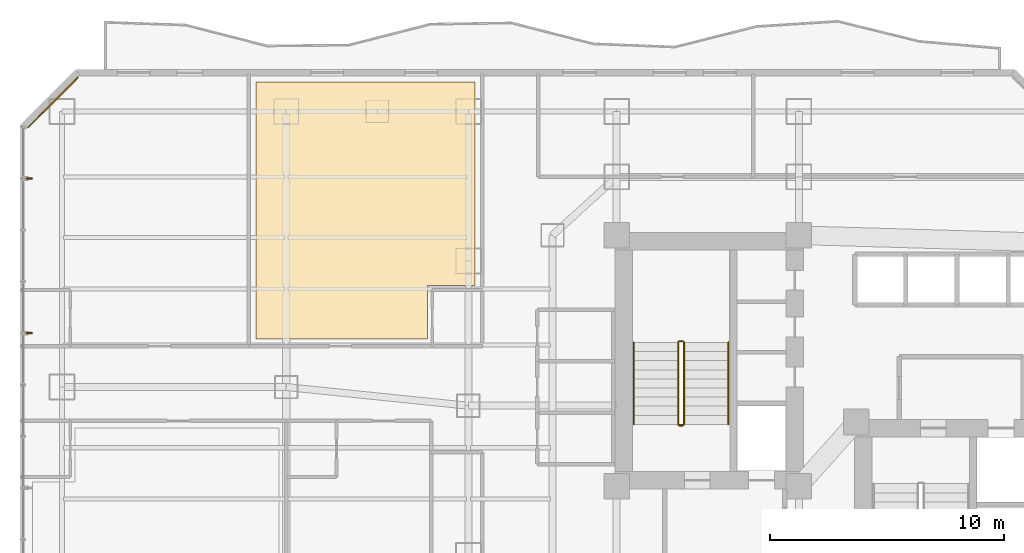
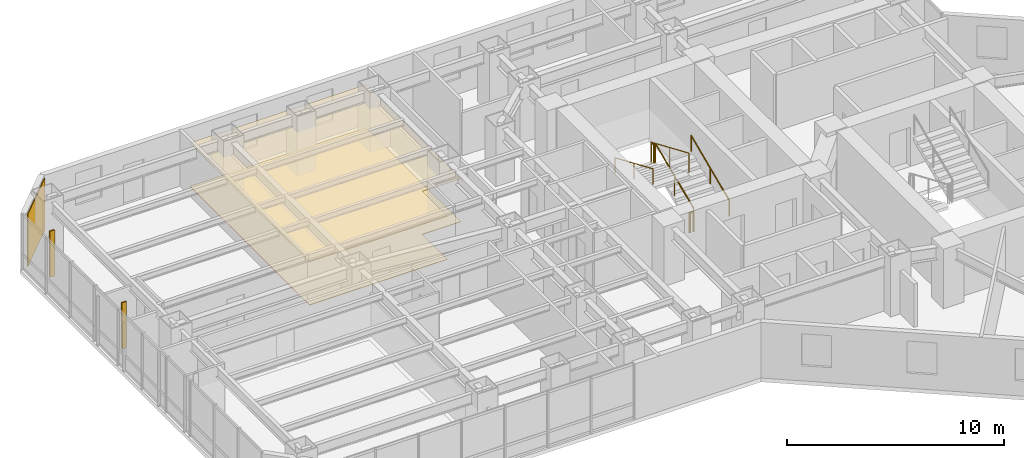
# One storey, part 35 of 37: 7 railings, 3 coverings, 2 shading devices.
"""IFC4 building model written with IfcOpenShell, lengths in metres."""

from ifc_helpers import new_model, si_unit, direction, frame, origin, origin_2d, place, context, subcontext, project, spatial, polyline, rectangle, circle, outline, extrude, material, layer, layer_set, type_object, element, save


model = new_model("IFC4")

# Units and contexts
model_context = context("Model", 3, precision=1e-05, world=origin(), true_north=direction((0.0, 1.0)))
body_context = subcontext(model_context, "Body", "Model", "MODEL_VIEW")
ifc_project = project(units=[si_unit("LENGTHUNIT", "METRE"), si_unit("AREAUNIT", "SQUARE_METRE"), si_unit("VOLUMEUNIT", "CUBIC_METRE"), si_unit("PLANEANGLEUNIT", "RADIAN"), si_unit("MASSUNIT", "GRAM", prefix="KILO")], contexts=[model_context])

# Site, building, storey
site_placement = place(None, origin())
site = spatial("IfcSite", under=ifc_project, at=site_placement, CompositionType="ELEMENT")
building_placement = place(site_placement, origin())
building = spatial("IfcBuilding", under=site, at=building_placement, Name="Hatsunagi Terrace Concourse", CompositionType="ELEMENT")
storey_placement = place(building_placement, frame((0.0, 0.0, 39.949951171875)))
storey = spatial("IfcBuildingStorey", under=building, at=storey_placement, Name="L09", CompositionType="ELEMENT", Elevation=39.949951171875)

# Covering
ifc_material_1 = material(Name="Granite stone paving", Category="masonry")
ifc_layer_1 = layer(ifc_material_1, 0.02490234375)
ifc_layer_set_1 = layer_set([ifc_layer_1], Name="GraniteStoneFlooring_25")
covering_type_1 = type_object("IfcCoveringType", Name="GraniteStoneFlooring_25", PredefinedType="FLOORING", material=ifc_layer_set_1)
covering_1_placement = place(storey_placement, origin())
element("IfcCovering", 1, at=covering_1_placement, inside=storey, type_object=covering_type_1, Name="Finished Flooring L09-2", PredefinedType="FLOORING", context=body_context, shape_type="SweptSolid", body=[
    extrude(outline(polyline([(10.110107421875, 49.8701171875), (10.110107421875, 38.85009765625), (17.44189453125, 38.85009765625), (17.444091796875, 41.155029296875), (19.489990234375, 41.157958984375), (19.489990234375, 49.8701171875), (10.110107421875, 49.8701171875)])), origin(), (0.0, 0.0, 1.0), 0.025146484375),
])

# Railings
ifc_material_2 = material(Name="Stainless steel", Category="steel")
ifc_layer_2 = layer(ifc_material_2, 0.044921875)
ifc_layer_set_2 = layer_set([ifc_layer_2], Name="StairPitchHandrail_Tower2000")
railing_type_1 = type_object("IfcRailingType", Name="StairPitchHandrail_Tower2000", PredefinedType="HANDRAIL", material=ifc_layer_set_2)
railing_1_placement = place(storey_placement, frame((30.330078125, 35.199951171875, 0.16748046875)))
element("IfcRailing", 2, at=railing_1_placement, inside=storey, type_object=railing_type_1, Name="L09 ST-A stair handrail 1", PredefinedType="HANDRAIL", context=body_context, shape_type="SweptSolid", body=[
    extrude(circle(Radius=0.02392578125, at=origin_2d()), frame((0.0, 0.0, 0.8759765625), z_axis=(0.0, 0.918834009242, 0.394644223904), x_axis=(-1.0, 0.0, 0.0)), (0.0, 0.0, 1.0), 3.820068359375),
    extrude(circle(Radius=0.02099609375, at=origin_2d()), origin(), (0.0, 0.0, 1.0), 0.851806640625),
    extrude(circle(Radius=0.02099609375, at=origin_2d()), frame((0.0, 1.7548828125, 0.75390625)), (0.0, 0.0, 1.0), 0.851806640625),
    extrude(circle(Radius=0.02099609375, at=origin_2d()), frame((0.0, 3.510009765625, 1.507568359375)), (0.0, 0.0, 1.0), 0.851806640625),
])
railing_2_placement = place(storey_placement, frame((26.280029296875, 38.7099609375, 1.842529296875)))
element("IfcRailing", 3, at=railing_2_placement, inside=storey, type_object=railing_type_1, Name="L09 ST-A stair handrail 2", PredefinedType="HANDRAIL", context=body_context, shape_type="SweptSolid", body=[
    extrude(circle(Radius=0.02392578125, at=origin_2d()), frame((0.0, 0.0, 0.8759765625), z_axis=(0.0, -0.918834009242, 0.394644223904), x_axis=(1.0, 0.0, 0.0)), (0.0, 0.0, 1.0), 3.820068359375),
    extrude(circle(Radius=0.02099609375, at=origin_2d()), origin(), (0.0, 0.0, 1.0), 0.851806640625),
    extrude(circle(Radius=0.02099609375, at=origin_2d()), frame((0.0, -1.7548828125, 0.75390625)), (0.0, 0.0, 1.0), 0.851806640625),
    extrude(circle(Radius=0.02099609375, at=origin_2d()), frame((0.0, -3.510009765625, 1.507568359375)), (0.0, 0.0, 1.0), 0.851806640625),
])
ifc_material_3 = material(Name="Stainless steel", Category="steel")
ifc_layer_3 = layer(ifc_material_3, 0.06005859375)
ifc_layer_set_3 = layer_set([ifc_layer_3], Name="StairWellGuard_Tower2000")
railing_type_2 = type_object("IfcRailingType", Name="StairWellGuard_Tower2000", PredefinedType="BALUSTRADE", material=ifc_layer_set_3)
railing_3_placement = place(storey_placement, frame((28.429931640625, 35.199951171875, 0.16748046875)))
element("IfcRailing", 4, at=railing_3_placement, inside=storey, type_object=railing_type_2, Name="L09 ST-A stair guard 1", PredefinedType="BALUSTRADE", context=body_context, shape_type="SweptSolid", body=[
    extrude(circle(Radius=0.02392578125, at=origin_2d()), frame((0.0, 0.0, 1.09619140625), z_axis=(0.0, 0.918834009242, 0.394644223904), x_axis=(-1.0, 0.0, 0.0)), (0.0, 0.0, 1.0), 3.820068359375),
    extrude(circle(Radius=0.02099609375, at=origin_2d()), origin(), (0.0, 0.0, 1.0), 1.072021484375),
    extrude(circle(Radius=0.02099609375, at=origin_2d()), frame((0.0, 1.7548828125, 0.75390625)), (0.0, 0.0, 1.0), 1.072021484375),
    extrude(circle(Radius=0.02099609375, at=origin_2d()), frame((0.0, 3.510009765625, 1.507568359375)), (0.0, 0.0, 1.0), 1.072021484375),
])
railing_4_placement = place(storey_placement, frame((28.3798828125, 38.760009765625, 1.675048828125)))
element("IfcRailing", 5, at=railing_4_placement, inside=storey, type_object=railing_type_2, Name="L09 ST-A stair guard 2", PredefinedType="BALUSTRADE", context=body_context, shape_type="SweptSolid", body=[
    extrude(circle(Radius=0.02392578125, at=origin_2d()), frame((0.0, 0.0, 1.09619140625), z_axis=(-1.0, 0.0, 0.0), x_axis=(0.0, -1.0, 0.0)), (0.0, 0.0, 1.0), 0.14990234375),
    extrude(circle(Radius=0.02099609375, at=origin_2d()), origin(), (0.0, 0.0, 1.0), 1.072021484375),
    extrude(circle(Radius=0.02099609375, at=origin_2d()), frame((-0.14990234375, 0.0, 0.0)), (0.0, 0.0, 1.0), 1.072021484375),
])
railing_5_placement = place(storey_placement, frame((28.179931640625, 38.7099609375, 1.842529296875)))
element("IfcRailing", 6, at=railing_5_placement, inside=storey, type_object=railing_type_2, Name="L09 ST-A stair guard 3", PredefinedType="BALUSTRADE", context=body_context, shape_type="SweptSolid", body=[
    extrude(circle(Radius=0.02392578125, at=origin_2d()), frame((0.0, 0.0, 1.09619140625), z_axis=(0.0, -0.918834009242, 0.394644223904), x_axis=(1.0, 0.0, 0.0)), (0.0, 0.0, 1.0), 3.820068359375),
    extrude(circle(Radius=0.02099609375, at=origin_2d()), origin(), (0.0, 0.0, 1.0), 1.072021484375),
    extrude(circle(Radius=0.02099609375, at=origin_2d()), frame((0.0, -1.7548828125, 0.75390625)), (0.0, 0.0, 1.0), 1.072021484375),
    extrude(circle(Radius=0.02099609375, at=origin_2d()), frame((0.0, -3.510009765625, 1.507568359375)), (0.0, 0.0, 1.0), 1.072021484375),
])
railing_6_placement = place(storey_placement, frame((28.3798828125, 35.14990234375, 0.0)))
element("IfcRailing", 7, at=railing_6_placement, inside=storey, type_object=railing_type_2, Name="L09 ST-A stair guard 4", PredefinedType="BALUSTRADE", context=body_context, shape_type="SweptSolid", body=[
    extrude(circle(Radius=0.02392578125, at=origin_2d()), frame((0.0, 0.0, 1.09619140625), z_axis=(-1.0, 0.0, 0.0), x_axis=(0.0, -1.0, 0.0)), (0.0, 0.0, 1.0), 0.14990234375),
    extrude(circle(Radius=0.02099609375, at=origin_2d()), origin(), (0.0, 0.0, 1.0), 1.072021484375),
    extrude(circle(Radius=0.02099609375, at=origin_2d()), frame((-0.14990234375, 0.0, 0.0)), (0.0, 0.0, 1.0), 1.072021484375),
])
ifc_material_4 = material(Name="Stainless Steel SUS316 Post-and-Rail Guard", Category="steel")
ifc_layer_4 = layer(ifc_material_4, 0.080078125)
ifc_layer_set_4 = layer_set([ifc_layer_4], Name="TerracePlantedGuardRail_1200")
railing_type_3 = type_object("IfcRailingType", Name="TerracePlantedGuardRail_1200", PredefinedType="GUARDRAIL", material=ifc_layer_set_4)
railing_7_placement = place(storey_placement, frame((28.179931640625, 35.179931640625, 0.0)))
element("IfcRailing", 8, at=railing_7_placement, inside=storey, type_object=railing_type_3, Name="Stair ST-A Well Closure Guard L09", PredefinedType="GUARDRAIL", context=body_context, shape_type="SweptSolid", body=[
    extrude(circle(Radius=0.02392578125, at=origin_2d()), frame((0.0, 0.0, 1.09619140625), z_axis=(1.0, 0.0, 0.0), x_axis=(0.0, 1.0, 0.0)), (0.0, 0.0, 1.0), 0.25),
    extrude(circle(Radius=0.02099609375, at=origin_2d()), origin(), (0.0, 0.0, 1.0), 1.072021484375),
    extrude(circle(Radius=0.02099609375, at=origin_2d()), frame((0.25, 0.0, 0.0)), (0.0, 0.0, 1.0), 1.072021484375),
])

# Shading devices
ifc_material_5 = material(Name="Extruded Unglazed Terracotta Baguette", Category="masonry")
shading_device_type = type_object("IfcShadingDeviceType", Name="TerracottaFinScreen_260x70", PredefinedType="USERDEFINED", material=ifc_material_5)
for number, where, z_axis, x_axis, name in (
    (9, (0.389892578125, 39.10791015625, 0.85009765625), (0.0, 0.0, 1.0), (0.0, 1.0, 0.0), "Terracotta Baguette Fin Screen SCR-01"),
    (10, (0.389892578125, 45.73388671875, 0.85009765625), (0.0, 0.0, 1.0), (0.0, 1.0, 0.0), "Terracotta Baguette Fin Screen SCR-01"),
):
    element("IfcShadingDevice", number, at=place(storey_placement, frame(where, z_axis=z_axis, x_axis=x_axis)), inside=storey, type_object=shading_device_type, Name=name, ObjectType="SUNSHADE", PredefinedType="USERDEFINED", context=body_context, shape_type="SweptSolid", body=[
        extrude(rectangle(XDim=0.070068359375, YDim=0.260009765625, at=origin_2d()), origin(), (0.0, 0.0, 1.0), 2.60009765625),
    ])

# Coverings
ifc_material_6 = material(Name="Unglazed Warm Terracotta Rainscreen Tile", Category="masonry")
ifc_layer_5 = layer(ifc_material_6, 0.044921875)
ifc_layer_set_5 = layer_set([ifc_layer_5], Name="TerracottaRainscreenCladding_45")
covering_type_2 = type_object("IfcCoveringType", Name="TerracottaRainscreenCladding_45", PredefinedType="CLADDING", material=ifc_layer_set_5)
covering_2_placement = place(storey_placement, frame((1.4140625, 48.986083984375, 0.10009765625), z_axis=(0.0, 0.0, 1.0), x_axis=(0.707106781187, 0.707106781187, 0.0)))
element("IfcCovering", 11, at=covering_2_placement, inside=storey, type_object=covering_type_2, Name="Terracotta Rainscreen Cladding L09-10", PredefinedType="CLADDING", context=body_context, shape_type="SweptSolid", body=[
    extrude(rectangle(XDim=3.0380859375, YDim=0.044921875, at=origin_2d()), origin(), (0.0, 0.0, 1.0), 2.929931640625),
])
ifc_material_7 = material(Name="Hardwood timber", Category="wood")
ifc_layer_6 = layer(ifc_material_7, 0.034912109375)
ifc_layer_set_6 = layer_set([ifc_layer_6], Name="TimberBaffleCeiling_35")
covering_type_3 = type_object("IfcCoveringType", Name="TimberBaffleCeiling_35", PredefinedType="CEILING", material=ifc_layer_set_6)
covering_3_placement = place(storey_placement, frame((0.0, 0.0, 2.420166015625)))
element("IfcCovering", 12, at=covering_3_placement, inside=storey, type_object=covering_type_3, Name="Suspended Ceiling L09-2", PredefinedType="CEILING", context=body_context, shape_type="SweptSolid", body=[
    extrude(outline(polyline([(10.110107421875, 49.8701171875), (10.110107421875, 38.85009765625), (17.44189453125, 38.85009765625), (17.444091796875, 41.155029296875), (19.489990234375, 41.157958984375), (19.489990234375, 49.8701171875), (10.110107421875, 49.8701171875)])), origin(), (0.0, 0.0, 1.0), 0.034912109375),
])

save(model, "model.ifc")
